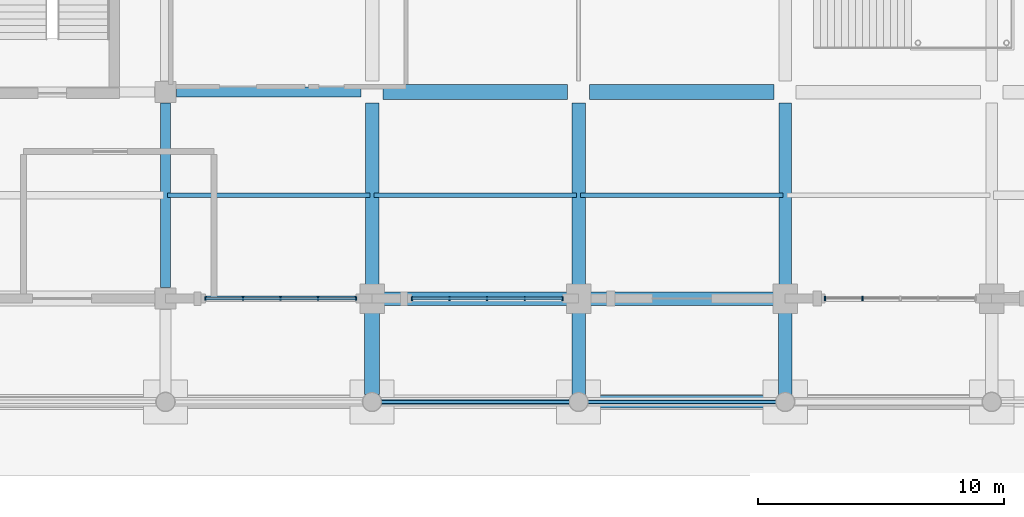
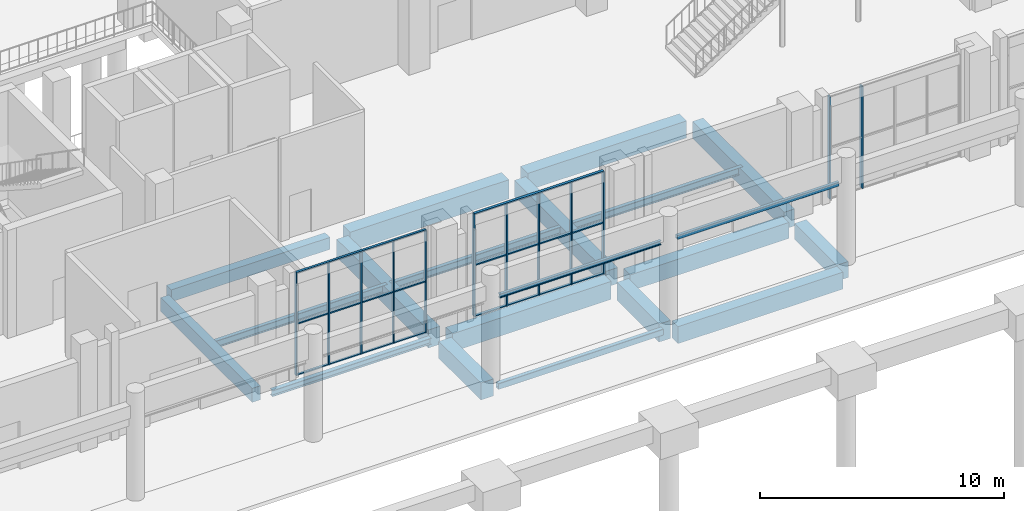
# One storey, part 21 of 82: 20 beams, 18 members, 3 elements without a shape of their own.
"""IFC4 building model written with IfcOpenShell, lengths in metres."""

from ifc_helpers import new_model, si_unit, derived_unit, direction, frame, origin, origin_2d, place, context, subcontext, project, spatial, rectangle, hollow_rectangle, i_section, extrude, material, material_profile, profile_set, type_object, element, aggregate, save


model = new_model("IFC4")

# Units and contexts
model_context = context("Model", 3, precision=1e-05, world=origin(), true_north=direction((0.0, 1.0)))
body_context = subcontext(model_context, "Body", "Model", "MODEL_VIEW")
ifc_project = project(units=[si_unit("LENGTHUNIT", "METRE"), si_unit("AREAUNIT", "SQUARE_METRE"), si_unit("VOLUMEUNIT", "CUBIC_METRE"), si_unit("PLANEANGLEUNIT", "RADIAN"), si_unit("MASSUNIT", "GRAM", prefix="KILO"), derived_unit("THERMALTRANSMITTANCEUNIT", [(si_unit("POWERUNIT", "WATT"), 1), (si_unit("LENGTHUNIT", "METRE"), -2), (si_unit("THERMODYNAMICTEMPERATUREUNIT", "KELVIN"), -1)])], contexts=[model_context])

# Site, building, storey
site_placement = place(None, origin())
site = spatial("IfcSite", under=ifc_project, at=site_placement, CompositionType="ELEMENT")
building_placement = place(site_placement, origin())
building = spatial("IfcBuilding", under=site, at=building_placement, Name="Barrovel Congress Hotel", CompositionType="ELEMENT")
storey_placement = place(building_placement, origin())
storey = spatial("IfcBuildingStorey", under=building, at=storey_placement, Name="L00", CompositionType="ELEMENT", Elevation=0.0)

# Beams
ifc_material_1 = material(Name="Concrete C40", Category="concrete")
ifc_material_profile_1 = material_profile(ifc_material_1, rectangle(XDim=0.39990234375, YDim=0.60009765625, at=origin_2d()), Name="RC400x600")
ifc_profile_set_1 = profile_set([ifc_material_profile_1], Name="Concrete C40")
beam_type_1 = type_object("IfcBeamType", Name="BM-RC400x600", PredefinedType="BEAM", material=ifc_profile_set_1)
beam_1_placement = place(storey_placement, frame((34.050048828125, 12.60009765625, -0.6201171875), z_axis=(1.0, 0.0, 0.0), x_axis=(0.0, 1.0, 0.0)))
element("IfcBeam", 1, at=beam_1_placement, inside=storey, type_object=beam_type_1, Name="BMX:L00:12.6:33.6-42.0", PredefinedType="BEAM", context=body_context, shape_type="SweptSolid", body=[
    extrude(rectangle(XDim=0.39990234375, YDim=0.60009765625, at=origin_2d()), origin(), (0.0, 0.0, 1.0), 7.5),
])
ifc_material_profile_2 = material_profile(ifc_material_1, rectangle(XDim=0.39990234375, YDim=0.699951171875, at=origin_2d()), Name="RC400x700")
ifc_profile_set_2 = profile_set([ifc_material_profile_2], Name="Concrete C40")
beam_type_2 = type_object("IfcBeamType", Name="BM-RC400x700", PredefinedType="BEAM", material=ifc_profile_set_2)
beam_2_placement = place(storey_placement, frame((33.60009765625, 4.64990234375, -0.669921875), z_axis=(0.0, 1.0, 0.0), x_axis=(-1.0, 0.0, 0.0)))
element("IfcBeam", 2, at=beam_2_placement, inside=storey, type_object=beam_type_2, Name="BMY:L00:33.6:4.2-12.6", PredefinedType="BEAM", context=body_context, shape_type="SweptSolid", body=[
    extrude(rectangle(XDim=0.39990234375, YDim=0.699951171875, at=origin_2d()), origin(), (0.0, 0.0, 1.0), 7.5),
])
ifc_material_profile_3 = material_profile(ifc_material_1, rectangle(XDim=0.5, YDim=0.85009765625, at=origin_2d()), Name="RC500x850")
ifc_profile_set_3 = profile_set([ifc_material_profile_3], Name="Concrete C40")
beam_type_3 = type_object("IfcBeamType", Name="BM-RC500x850", PredefinedType="BEAM", material=ifc_profile_set_3)
beam_3_placement = place(storey_placement, frame((50.699951171875, 0.0, -0.7451171875), z_axis=(1.0, 0.0, 0.0), x_axis=(0.0, 1.0, 0.0)))
element("IfcBeam", 3, at=beam_3_placement, inside=storey, type_object=beam_type_3, Name="BMX:L00:0.0:50.4-58.8", PredefinedType="BEAM", context=body_context, shape_type="SweptSolid", body=[
    extrude(rectangle(XDim=0.5, YDim=0.85009765625, at=origin_2d()), origin(), (0.0, 0.0, 1.0), 7.800048828125),
])
beam_4_placement = place(storey_placement, frame((58.800048828125, 4.64990234375, -0.7451171875), z_axis=(0.0, 1.0, 0.0), x_axis=(-1.0, 0.0, 0.0)))
element("IfcBeam", 4, at=beam_4_placement, inside=storey, type_object=beam_type_3, Name="BMY:L00:58.8:4.2-12.6", PredefinedType="BEAM", context=body_context, shape_type="SweptSolid", body=[
    extrude(rectangle(XDim=0.5, YDim=0.85009765625, at=origin_2d()), origin(), (0.0, 0.0, 1.0), 7.5),
])
ifc_material_profile_4 = material_profile(ifc_material_1, rectangle(XDim=0.550048828125, YDim=0.800048828125, at=origin_2d()), Name="RC550x800")
ifc_profile_set_4 = profile_set([ifc_material_profile_4], Name="Concrete C40")
beam_type_4 = type_object("IfcBeamType", Name="BM-RC550x800", PredefinedType="BEAM", material=ifc_profile_set_4)
for number, where, z_axis, x_axis, name in (
    (5, (50.85009765625, 4.199951171875, -0.719970703125), (1.0, 0.0, 0.0), (0.0, 1.0, 0.0), "BMX:L00:4.2:50.4-58.8"),
    (6, (50.39990234375, 4.64990234375, -0.719970703125), (0.0, 1.0, 0.0), (-1.0, 0.0, 0.0), "BMY:L00:50.4:4.2-12.6"),
):
    element("IfcBeam", number, at=place(storey_placement, frame(where, z_axis=z_axis, x_axis=x_axis)), inside=storey, type_object=beam_type_4, Name=name, PredefinedType="BEAM", context=body_context, shape_type="SweptSolid", body=[
        extrude(rectangle(XDim=0.550048828125, YDim=0.800048828125, at=origin_2d()), origin(), (0.0, 0.0, 1.0), 7.5),
    ])
beam_5_placement = place(storey_placement, frame((58.800048828125, 0.300048828125, -0.719970703125), z_axis=(0.0, 1.0, 0.0), x_axis=(-1.0, 0.0, 0.0)))
element("IfcBeam", 7, at=beam_5_placement, inside=storey, type_object=beam_type_4, Name="BMY:L00:58.8:0.0-4.2", PredefinedType="BEAM", context=body_context, shape_type="SweptSolid", body=[
    extrude(rectangle(XDim=0.550048828125, YDim=0.800048828125, at=origin_2d()), origin(), (0.0, 0.0, 1.0), 3.449951171875),
])
ifc_material_profile_5 = material_profile(ifc_material_1, rectangle(XDim=0.550048828125, YDim=0.89990234375, at=origin_2d()), Name="RC550x900")
ifc_profile_set_5 = profile_set([ifc_material_profile_5], Name="Concrete C40")
beam_type_5 = type_object("IfcBeamType", Name="BM-RC550x900", PredefinedType="BEAM", material=ifc_profile_set_5)
for number, where, z_axis, x_axis, name in (
    (8, (42.449951171875, 4.199951171875, -0.77001953125), (1.0, 0.0, 0.0), (0.0, 1.0, 0.0), "BMX:L00:4.2:42.0-50.4"),
    (9, (42.0, 4.64990234375, -0.77001953125), (0.0, 1.0, 0.0), (-1.0, 0.0, 0.0), "BMY:L00:42.0:4.2-12.6"),
):
    element("IfcBeam", number, at=place(storey_placement, frame(where, z_axis=z_axis, x_axis=x_axis)), inside=storey, type_object=beam_type_5, Name=name, PredefinedType="BEAM", context=body_context, shape_type="SweptSolid", body=[
        extrude(rectangle(XDim=0.550048828125, YDim=0.89990234375, at=origin_2d()), origin(), (0.0, 0.0, 1.0), 7.5),
    ])
beam_6_placement = place(storey_placement, frame((50.39990234375, 0.300048828125, -0.77001953125), z_axis=(0.0, 1.0, 0.0), x_axis=(-1.0, 0.0, 0.0)))
element("IfcBeam", 10, at=beam_6_placement, inside=storey, type_object=beam_type_5, Name="BMY:L00:50.4:0.0-4.2", PredefinedType="BEAM", context=body_context, shape_type="SweptSolid", body=[
    extrude(rectangle(XDim=0.550048828125, YDim=0.89990234375, at=origin_2d()), origin(), (0.0, 0.0, 1.0), 3.449951171875),
])
ifc_material_profile_6 = material_profile(ifc_material_1, rectangle(XDim=0.60009765625, YDim=0.85009765625, at=origin_2d()), Name="RC600x850")
ifc_profile_set_6 = profile_set([ifc_material_profile_6], Name="Concrete C40")
beam_type_6 = type_object("IfcBeamType", Name="BM-RC600x850", PredefinedType="BEAM", material=ifc_profile_set_6)
beam_7_placement = place(storey_placement, frame((50.85009765625, 12.60009765625, -0.7451171875), z_axis=(1.0, 0.0, 0.0), x_axis=(0.0, 1.0, 0.0)))
element("IfcBeam", 11, at=beam_7_placement, inside=storey, type_object=beam_type_6, Name="BMX:L00:12.6:50.4-58.8", PredefinedType="BEAM", context=body_context, shape_type="SweptSolid", body=[
    extrude(rectangle(XDim=0.60009765625, YDim=0.85009765625, at=origin_2d()), origin(), (0.0, 0.0, 1.0), 7.5),
])
beam_8_placement = place(storey_placement, frame((42.0, 0.300048828125, -0.7451171875), z_axis=(0.0, 1.0, 0.0), x_axis=(-1.0, 0.0, 0.0)))
element("IfcBeam", 12, at=beam_8_placement, inside=storey, type_object=beam_type_6, Name="BMY:L00:42.0:0.0-4.2", PredefinedType="BEAM", context=body_context, shape_type="SweptSolid", body=[
    extrude(rectangle(XDim=0.60009765625, YDim=0.85009765625, at=origin_2d()), origin(), (0.0, 0.0, 1.0), 3.449951171875),
])
ifc_material_profile_7 = material_profile(ifc_material_1, rectangle(XDim=0.60009765625, YDim=0.949951171875, at=origin_2d()), Name="RC600x950")
ifc_profile_set_7 = profile_set([ifc_material_profile_7], Name="Concrete C40")
beam_type_7 = type_object("IfcBeamType", Name="BM-RC600x950", PredefinedType="BEAM", material=ifc_profile_set_7)
beam_9_placement = place(storey_placement, frame((42.449951171875, 12.60009765625, -0.794921875), z_axis=(1.0, 0.0, 0.0), x_axis=(0.0, 1.0, 0.0)))
element("IfcBeam", 13, at=beam_9_placement, inside=storey, type_object=beam_type_7, Name="BMX:L00:12.6:42.0-50.4", PredefinedType="BEAM", context=body_context, shape_type="SweptSolid", body=[
    extrude(rectangle(XDim=0.60009765625, YDim=0.949951171875, at=origin_2d()), origin(), (0.0, 0.0, 1.0), 7.5),
])

# Curtain wall, members
ifc_material_2 = material(Name="Anodised Aluminium Alloy 6063-T6", Category="aluminium")
curtain_wall_type = type_object("IfcCurtainWallType", Name="CW-ST-7200x4800", PredefinedType="USERDEFINED", material=ifc_material_2)
curtain_wall_1_placement = place(storey_placement, origin())
curtain_wall_1 = element("IfcCurtainWall", 14, at=curtain_wall_1_placement, inside=storey, type_object=curtain_wall_type, Name="CW:L00:S:04", ObjectType="STICK CURTAIN WALL", PredefinedType="USERDEFINED")
ifc_material_profile_8 = material_profile(ifc_material_2, rectangle(XDim=0.06005859375, YDim=0.139892578125, at=origin_2d()), Name="AL-M60x140")
ifc_profile_set_8 = profile_set([ifc_material_profile_8], Name="Anodised Aluminium Alloy 6063-T6")
member_type_1 = type_object("IfcMemberType", Name="CWM-AL-M60x140", PredefinedType="MULLION", material=ifc_profile_set_8)
member_1_placement = place(storey_placement, frame((35.219970703125, 4.199951171875, 0.0), z_axis=(0.0, 0.0, 1.0), x_axis=(1.0, 0.0, 0.0)))
member_1 = element("IfcMember", 15, at=member_1_placement, type_object=member_type_1, Name="CW:L00:S:04:M0", PredefinedType="MULLION", context=body_context, shape_type="SweptSolid", body=[
    extrude(rectangle(XDim=0.06005859375, YDim=0.139892578125, at=origin_2d()), origin(), (0.0, 0.0, 1.0), 5.1201171875),
])
member_2_placement = place(storey_placement, frame((36.75, 4.199951171875, 0.0), z_axis=(0.0, 0.0, 1.0), x_axis=(1.0, 0.0, 0.0)))
member_2 = element("IfcMember", 16, at=member_2_placement, type_object=member_type_1, Name="CW:L00:S:04:M1", PredefinedType="MULLION", context=body_context, shape_type="SweptSolid", body=[
    extrude(rectangle(XDim=0.06005859375, YDim=0.139892578125, at=origin_2d()), origin(), (0.0, 0.0, 1.0), 5.1201171875),
])
member_3_placement = place(storey_placement, frame((38.280029296875, 4.199951171875, 0.0), z_axis=(0.0, 0.0, 1.0), x_axis=(1.0, 0.0, 0.0)))
member_3 = element("IfcMember", 17, at=member_3_placement, type_object=member_type_1, Name="CW:L00:S:04:M2", PredefinedType="MULLION", context=body_context, shape_type="SweptSolid", body=[
    extrude(rectangle(XDim=0.06005859375, YDim=0.139892578125, at=origin_2d()), origin(), (0.0, 0.0, 1.0), 5.1201171875),
])
member_4_placement = place(storey_placement, frame((39.81005859375, 4.199951171875, 0.0), z_axis=(0.0, 0.0, 1.0), x_axis=(1.0, 0.0, 0.0)))
member_4 = element("IfcMember", 18, at=member_4_placement, type_object=member_type_1, Name="CW:L00:S:04:M3", PredefinedType="MULLION", context=body_context, shape_type="SweptSolid", body=[
    extrude(rectangle(XDim=0.06005859375, YDim=0.139892578125, at=origin_2d()), origin(), (0.0, 0.0, 1.0), 5.1201171875),
])
member_5_placement = place(storey_placement, frame((41.340087890625, 4.199951171875, 0.0), z_axis=(0.0, 0.0, 1.0), x_axis=(1.0, 0.0, 0.0)))
member_5 = element("IfcMember", 19, at=member_5_placement, type_object=member_type_1, Name="CW:L00:S:04:M4", PredefinedType="MULLION", context=body_context, shape_type="SweptSolid", body=[
    extrude(rectangle(XDim=0.06005859375, YDim=0.139892578125, at=origin_2d()), origin(), (0.0, 0.0, 1.0), 5.1201171875),
])

curtain_wall_2_placement = place(storey_placement, origin())
curtain_wall_2 = element("IfcCurtainWall", 20, at=curtain_wall_2_placement, inside=storey, type_object=curtain_wall_type, Name="CW:L00:S:05", ObjectType="STICK CURTAIN WALL", PredefinedType="USERDEFINED")
ifc_material_profile_9 = material_profile(ifc_material_2, rectangle(XDim=0.06005859375, YDim=0.1650390625, at=origin_2d()), Name="AL-M60x165")
ifc_profile_set_9 = profile_set([ifc_material_profile_9], Name="Anodised Aluminium Alloy 6063-T6")
member_type_2 = type_object("IfcMemberType", Name="CWM-AL-M60x165", PredefinedType="MULLION", material=ifc_profile_set_9)
member_6_placement = place(storey_placement, frame((43.6201171875, 4.199951171875, 0.0), z_axis=(0.0, 0.0, 1.0), x_axis=(1.0, 0.0, 0.0)))
member_6 = element("IfcMember", 21, at=member_6_placement, type_object=member_type_2, Name="CW:L00:S:05:M0", PredefinedType="MULLION", context=body_context, shape_type="SweptSolid", body=[
    extrude(rectangle(XDim=0.06005859375, YDim=0.1650390625, at=origin_2d()), origin(), (0.0, 0.0, 1.0), 5.1201171875),
])
member_7_placement = place(storey_placement, frame((45.14990234375, 4.199951171875, 0.0), z_axis=(0.0, 0.0, 1.0), x_axis=(1.0, 0.0, 0.0)))
member_7 = element("IfcMember", 22, at=member_7_placement, type_object=member_type_2, Name="CW:L00:S:05:M1", PredefinedType="MULLION", context=body_context, shape_type="SweptSolid", body=[
    extrude(rectangle(XDim=0.06005859375, YDim=0.1650390625, at=origin_2d()), origin(), (0.0, 0.0, 1.0), 5.1201171875),
])
member_8_placement = place(storey_placement, frame((46.679931640625, 4.199951171875, 0.0), z_axis=(0.0, 0.0, 1.0), x_axis=(1.0, 0.0, 0.0)))
member_8 = element("IfcMember", 23, at=member_8_placement, type_object=member_type_2, Name="CW:L00:S:05:M2", PredefinedType="MULLION", context=body_context, shape_type="SweptSolid", body=[
    extrude(rectangle(XDim=0.06005859375, YDim=0.1650390625, at=origin_2d()), origin(), (0.0, 0.0, 1.0), 5.1201171875),
])
member_9_placement = place(storey_placement, frame((48.2099609375, 4.199951171875, 0.0), z_axis=(0.0, 0.0, 1.0), x_axis=(1.0, 0.0, 0.0)))
member_9 = element("IfcMember", 24, at=member_9_placement, type_object=member_type_2, Name="CW:L00:S:05:M3", PredefinedType="MULLION", context=body_context, shape_type="SweptSolid", body=[
    extrude(rectangle(XDim=0.06005859375, YDim=0.1650390625, at=origin_2d()), origin(), (0.0, 0.0, 1.0), 5.1201171875),
])
member_10_placement = place(storey_placement, frame((49.739990234375, 4.199951171875, 0.0), z_axis=(0.0, 0.0, 1.0), x_axis=(1.0, 0.0, 0.0)))
member_10 = element("IfcMember", 25, at=member_10_placement, type_object=member_type_2, Name="CW:L00:S:05:M4", PredefinedType="MULLION", context=body_context, shape_type="SweptSolid", body=[
    extrude(rectangle(XDim=0.06005859375, YDim=0.1650390625, at=origin_2d()), origin(), (0.0, 0.0, 1.0), 5.1201171875),
])

curtain_wall_3_placement = place(storey_placement, origin())
curtain_wall_3 = element("IfcCurtainWall", 26, at=curtain_wall_3_placement, inside=storey, type_object=curtain_wall_type, Name="CW:L00:S:07", ObjectType="STICK CURTAIN WALL", PredefinedType="USERDEFINED")
ifc_material_profile_10 = material_profile(ifc_material_2, rectangle(XDim=0.06494140625, YDim=0.18994140625, at=origin_2d()), Name="AL-M65x190")
ifc_profile_set_10 = profile_set([ifc_material_profile_10], Name="Anodised Aluminium Alloy 6063-T6")
member_type_3 = type_object("IfcMemberType", Name="CWM-AL-M65x190", PredefinedType="MULLION", material=ifc_profile_set_10)
member_11_placement = place(storey_placement, frame((60.419921875, 4.199951171875, 0.0), z_axis=(0.0, 0.0, 1.0), x_axis=(1.0, 0.0, 0.0)))
member_11 = element("IfcMember", 27, at=member_11_placement, type_object=member_type_3, Name="CW:L00:S:07:M0", PredefinedType="MULLION", context=body_context, shape_type="SweptSolid", body=[
    extrude(rectangle(XDim=0.06494140625, YDim=0.18994140625, at=origin_2d()), origin(), (0.0, 0.0, 1.0), 5.1201171875),
])
member_12_placement = place(storey_placement, frame((61.949951171875, 4.199951171875, 0.0), z_axis=(0.0, 0.0, 1.0), x_axis=(1.0, 0.0, 0.0)))
member_12 = element("IfcMember", 28, at=member_12_placement, type_object=member_type_3, Name="CW:L00:S:07:M1", PredefinedType="MULLION", context=body_context, shape_type="SweptSolid", body=[
    extrude(rectangle(XDim=0.06494140625, YDim=0.18994140625, at=origin_2d()), origin(), (0.0, 0.0, 1.0), 5.1201171875),
])
aggregate(curtain_wall_3, [member_11, member_12])

# Member
ifc_material_profile_11 = material_profile(ifc_material_2, rectangle(XDim=0.10498046875, YDim=0.06005859375, at=origin_2d()), Name="AL-T60x105")
ifc_profile_set_11 = profile_set([ifc_material_profile_11], Name="Anodised Aluminium Alloy 6063-T6")
member_type_4 = type_object("IfcMemberType", Name="CWT-AL-T60x105", PredefinedType="USERDEFINED", material=ifc_profile_set_11)
member_13_placement = place(storey_placement, frame((35.219970703125, 4.199951171875, 0.0), z_axis=(1.0, 0.0, 0.0), x_axis=(0.0, 1.0, 0.0)))
member_13 = element("IfcMember", 29, at=member_13_placement, type_object=member_type_4, Name="CW:L00:S:04:T0", ObjectType="TRANSOM", PredefinedType="USERDEFINED", context=body_context, shape_type="SweptSolid", body=[
    extrude(rectangle(XDim=0.10498046875, YDim=0.06005859375, at=origin_2d()), origin(), (0.0, 0.0, 1.0), 6.1201171875),
])

member_14_placement = place(storey_placement, frame((35.219970703125, 4.199951171875, 2.56005859375), z_axis=(1.0, 0.0, 0.0), x_axis=(0.0, 1.0, 0.0)))
member_14 = element("IfcMember", 30, at=member_14_placement, type_object=member_type_4, Name="CW:L00:S:04:T1", ObjectType="TRANSOM", PredefinedType="USERDEFINED", context=body_context, shape_type="SweptSolid", body=[
    extrude(rectangle(XDim=0.10498046875, YDim=0.06005859375, at=origin_2d()), origin(), (0.0, 0.0, 1.0), 6.1201171875),
])

member_15_placement = place(storey_placement, frame((35.219970703125, 4.199951171875, 5.1201171875), z_axis=(1.0, 0.0, 0.0), x_axis=(0.0, 1.0, 0.0)))
member_15 = element("IfcMember", 31, at=member_15_placement, type_object=member_type_4, Name="CW:L00:S:04:T2", ObjectType="TRANSOM", PredefinedType="USERDEFINED", context=body_context, shape_type="SweptSolid", body=[
    extrude(rectangle(XDim=0.10498046875, YDim=0.06005859375, at=origin_2d()), origin(), (0.0, 0.0, 1.0), 6.1201171875),
])

aggregate(curtain_wall_1, [member_1, member_2, member_3, member_4, member_5, member_13, member_14, member_15])

ifc_material_profile_12 = material_profile(ifc_material_2, rectangle(XDim=0.125, YDim=0.06005859375, at=origin_2d()), Name="AL-T60x125")
ifc_profile_set_12 = profile_set([ifc_material_profile_12], Name="Anodised Aluminium Alloy 6063-T6")
member_type_5 = type_object("IfcMemberType", Name="CWT-AL-T60x125", PredefinedType="USERDEFINED", material=ifc_profile_set_12)
member_16_placement = place(storey_placement, frame((43.6201171875, 4.199951171875, 0.0), z_axis=(1.0, 0.0, 0.0), x_axis=(0.0, 1.0, 0.0)))
member_16 = element("IfcMember", 32, at=member_16_placement, type_object=member_type_5, Name="CW:L00:S:05:T0", ObjectType="TRANSOM", PredefinedType="USERDEFINED", context=body_context, shape_type="SweptSolid", body=[
    extrude(rectangle(XDim=0.125, YDim=0.06005859375, at=origin_2d()), origin(), (0.0, 0.0, 1.0), 6.119873046875),
])

member_17_placement = place(storey_placement, frame((43.6201171875, 4.199951171875, 2.56005859375), z_axis=(1.0, 0.0, 0.0), x_axis=(0.0, 1.0, 0.0)))
member_17 = element("IfcMember", 33, at=member_17_placement, type_object=member_type_5, Name="CW:L00:S:05:T1", ObjectType="TRANSOM", PredefinedType="USERDEFINED", context=body_context, shape_type="SweptSolid", body=[
    extrude(rectangle(XDim=0.125, YDim=0.06005859375, at=origin_2d()), origin(), (0.0, 0.0, 1.0), 6.119873046875),
])

member_18_placement = place(storey_placement, frame((43.6201171875, 4.199951171875, 5.1201171875), z_axis=(1.0, 0.0, 0.0), x_axis=(0.0, 1.0, 0.0)))
member_18 = element("IfcMember", 34, at=member_18_placement, type_object=member_type_5, Name="CW:L00:S:05:T2", ObjectType="TRANSOM", PredefinedType="USERDEFINED", context=body_context, shape_type="SweptSolid", body=[
    extrude(rectangle(XDim=0.125, YDim=0.06005859375, at=origin_2d()), origin(), (0.0, 0.0, 1.0), 6.119873046875),
])

aggregate(curtain_wall_2, [member_6, member_7, member_8, member_9, member_10, member_16, member_17, member_18])

# Beams
ifc_material_3 = material(Name="Steel ASTM A500 Grade C", Category="steel")
ifc_material_profile_13 = material_profile(ifc_material_3, hollow_rectangle(XDim=0.15234375, YDim=0.203125, WallThickness=0.0087890625, InnerFilletRadius=0.0087890625, OuterFilletRadius=0.017578125, at=origin_2d()), Name="HSS203x152x9.5")
ifc_profile_set_13 = profile_set([ifc_material_profile_13], Name="Steel ASTM A500 Grade C")
beam_type_8 = type_object("IfcBeamType", Name="SBM-HSS203x152x9.5", PredefinedType="LINTEL", material=ifc_profile_set_13)
beam_10_placement = place(storey_placement, frame((50.77490234375, 0.0, 3.998291015625), z_axis=(1.0, 0.0, 0.0), x_axis=(0.0, 1.0, 0.0)))
element("IfcBeam", 35, at=beam_10_placement, inside=storey, type_object=beam_type_8, Name="LIN:L00:50.4-58.8", PredefinedType="LINTEL", context=body_context, shape_type="SweptSolid", body=[
    extrude(hollow_rectangle(XDim=0.15234375, YDim=0.203125, WallThickness=0.0087890625, InnerFilletRadius=0.0087890625, OuterFilletRadius=0.017578125, at=origin_2d()), origin(), (0.0, 0.0, 1.0), 7.650146484375),
])
ifc_material_profile_14 = material_profile(ifc_material_3, hollow_rectangle(XDim=0.203125, YDim=0.3046875, WallThickness=0.01171875, InnerFilletRadius=0.01171875, OuterFilletRadius=0.023681640625, at=origin_2d()), Name="HSS305x203x12.7")
ifc_profile_set_14 = profile_set([ifc_material_profile_14], Name="Steel ASTM A500 Grade C")
beam_type_9 = type_object("IfcBeamType", Name="SBM-HSS305x203x12.7", PredefinedType="SPANDREL", material=ifc_profile_set_14)
beam_11_placement = place(storey_placement, frame((42.300048828125, 0.0, -0.472412109375), z_axis=(1.0, 0.0, 0.0), x_axis=(0.0, 1.0, 0.0)))
element("IfcBeam", 36, at=beam_11_placement, inside=storey, type_object=beam_type_9, Name="BMX:L00:0.0:42.0-50.4", PredefinedType="SPANDREL", context=body_context, shape_type="SweptSolid", body=[
    extrude(hollow_rectangle(XDim=0.203125, YDim=0.3046875, WallThickness=0.01171875, InnerFilletRadius=0.01171875, OuterFilletRadius=0.023681640625, at=origin_2d()), origin(), (0.0, 0.0, 1.0), 7.800048828125),
])
ifc_material_4 = material(Name="Steel ASTM A992 Grade 50", Category="steel")
ifc_material_profile_15 = material_profile(ifc_material_4, i_section(OverallWidth=0.133056640625, OverallDepth=0.20703125, WebThickness=0.005859375, FlangeThickness=0.00830078125, FilletRadius=0.010009765625, at=origin_2d()), Name="W200x27")
ifc_profile_set_15 = profile_set([ifc_material_profile_15], Name="Steel ASTM A992 Grade 50")
beam_type_10 = type_object("IfcBeamType", Name="SBM-W200x27", PredefinedType="LINTEL", material=ifc_profile_set_15)
beam_12_placement = place(storey_placement, frame((42.375, 0.0, 3.99658203125), z_axis=(1.0, 0.0, 0.0), x_axis=(0.0, 1.0, 0.0)))
element("IfcBeam", 37, at=beam_12_placement, inside=storey, type_object=beam_type_10, Name="LIN:L00:42.0-50.4", PredefinedType="LINTEL", context=body_context, shape_type="SweptSolid", body=[
    extrude(i_section(OverallWidth=0.133056640625, OverallDepth=0.20703125, WebThickness=0.005859375, FlangeThickness=0.00830078125, FilletRadius=0.010009765625, at=origin_2d()), origin(), (0.0, 0.0, 1.0), 7.64990234375),
])
ifc_material_profile_16 = material_profile(ifc_material_4, i_section(OverallWidth=0.205078125, OverallDepth=0.31005859375, WebThickness=0.009521484375, FlangeThickness=0.016357421875, FilletRadius=0.012939453125, at=origin_2d()), Name="W310x74")
ifc_profile_set_16 = profile_set([ifc_material_profile_16], Name="Steel ASTM A992 Grade 50")
beam_type_11 = type_object("IfcBeamType", Name="SBM-W310x74", PredefinedType="SPANDREL", material=ifc_profile_set_16)
beam_13_placement = place(storey_placement, frame((34.050048828125, 4.199951171875, -0.47509765625), z_axis=(1.0, 0.0, 0.0), x_axis=(0.0, 1.0, 0.0)))
element("IfcBeam", 38, at=beam_13_placement, inside=storey, type_object=beam_type_11, Name="BMX:L00:4.2:33.6-42.0", PredefinedType="SPANDREL", context=body_context, shape_type="SweptSolid", body=[
    extrude(i_section(OverallWidth=0.205078125, OverallDepth=0.31005859375, WebThickness=0.009521484375, FlangeThickness=0.016357421875, FilletRadius=0.012939453125, at=origin_2d()), origin(), (0.0, 0.0, 1.0), 7.5),
])
ifc_material_profile_17 = material_profile(ifc_material_4, i_section(OverallWidth=0.172119140625, OverallDepth=0.35791015625, WebThickness=0.0078125, FlangeThickness=0.01318359375, FilletRadius=0.011962890625, at=origin_2d()), Name="W360x57")
ifc_profile_set_17 = profile_set([ifc_material_profile_17], Name="Steel ASTM A992 Grade 50")
beam_type_12 = type_object("IfcBeamType", Name="SBM-W360x57", PredefinedType="JOIST", material=ifc_profile_set_17)
for number, where, z_axis, x_axis, name in (
    (39, (33.679931640625, 8.39990234375, -0.4990234375), (1.0, 0.0, 0.0), (0.0, 1.0, 0.0), "JST:L00:33.6:8.4"),
    (40, (42.080078125, 8.39990234375, -0.4990234375), (1.0, 0.0, 0.0), (0.0, 1.0, 0.0), "JST:L00:42.0:8.4"),
    (41, (50.47998046875, 8.39990234375, -0.4990234375), (1.0, 0.0, 0.0), (0.0, 1.0, 0.0), "JST:L00:50.4:8.4"),
):
    element("IfcBeam", number, at=place(storey_placement, frame(where, z_axis=z_axis, x_axis=x_axis)), inside=storey, type_object=beam_type_12, Name=name, PredefinedType="JOIST", context=body_context, shape_type="SweptSolid", body=[
        extrude(i_section(OverallWidth=0.172119140625, OverallDepth=0.35791015625, WebThickness=0.0078125, FlangeThickness=0.01318359375, FilletRadius=0.011962890625, at=origin_2d()), origin(), (0.0, 0.0, 1.0), 8.239990234375),
    ])

save(model, "model.ifc")
